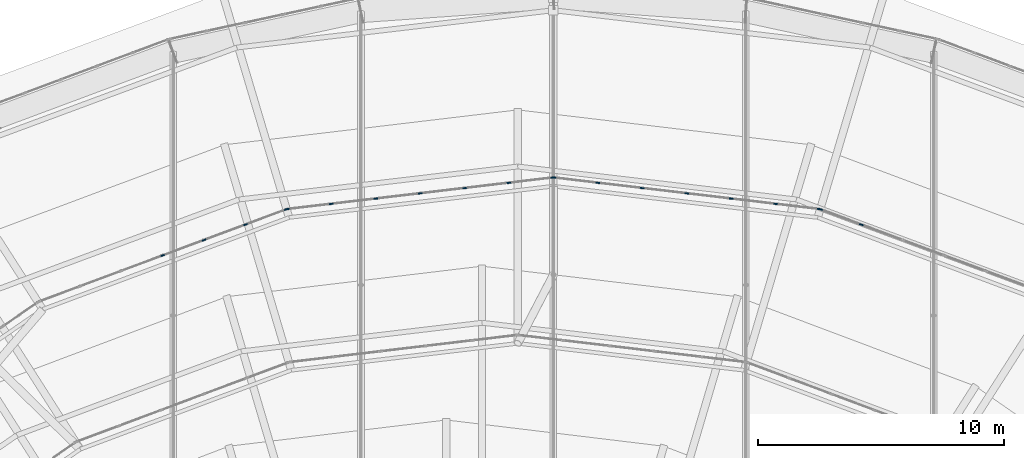
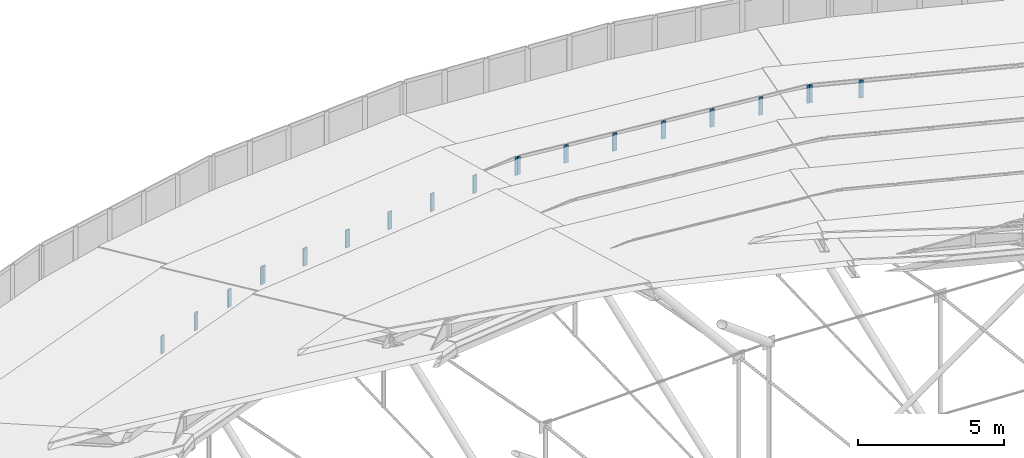
# One storey, part 139 of 173: 20 members, 4 elements without a shape of their own.
"""IFC4 building model written with IfcOpenShell, lengths in metres."""

from ifc_helpers import new_model, si_unit, direction, frame, origin, origin_2d, place, context, subcontext, project, spatial, rectangle, extrude, material, material_profile, profile_set, type_object, element, aggregate, save


model = new_model("IFC4")

# Units and contexts
model_context = context("Model", 3, precision=1e-05, world=origin(), true_north=direction((0.0, 1.0)))
body_context = subcontext(model_context, "Body", "Model", "MODEL_VIEW")
ifc_project = project(units=[si_unit("LENGTHUNIT", "METRE"), si_unit("AREAUNIT", "SQUARE_METRE"), si_unit("VOLUMEUNIT", "CUBIC_METRE"), si_unit("PLANEANGLEUNIT", "RADIAN"), si_unit("MASSUNIT", "GRAM", prefix="KILO")], contexts=[model_context])

# Site, building, storey
site_placement = place(None, origin())
site = spatial("IfcSite", under=ifc_project, at=site_placement, CompositionType="ELEMENT")
building_placement = place(site_placement, origin())
building = spatial("IfcBuilding", under=site, at=building_placement, Name="Glasvene Arena", CompositionType="ELEMENT")
storey_placement = place(building_placement, frame((0.0, 0.0, 28.800048828125)))
storey = spatial("IfcBuildingStorey", under=building, at=storey_placement, Name="RF", CompositionType="ELEMENT", Elevation=28.800048828125)

# Curtain wall, members
ifc_material_1 = material(Name="Low-emissivity laminated double glazing", Category="glass")
curtain_wall_type_1 = type_object("IfcCurtainWallType", Name="CW-PET1-1077x75", PredefinedType="USERDEFINED", material=ifc_material_1)
curtain_wall_1_placement = place(storey_placement, frame((112.925048828125, 105.649169921875, 0.0)))
curtain_wall_1 = element("IfcCurtainWall", 1, at=curtain_wall_1_placement, inside=storey, type_object=curtain_wall_type_1, Name="Petal ring 1-2 clerestory curtain wall 05", ObjectType="CURTAIN WALL", PredefinedType="USERDEFINED")
ifc_material_2 = material(Name="Anodised architectural aluminium", Category="aluminium")
ifc_material_profile = material_profile(ifc_material_2, rectangle(XDim=0.050048828125, YDim=0.159912109375, at=origin_2d()), Name="ALU MULLION 50x160")
ifc_profile_set = profile_set([ifc_material_profile], Name="Anodised architectural aluminium")
member_type = type_object("IfcMemberType", Name="CW-MUL-150", PredefinedType="MULLION", material=ifc_profile_set)
member_1_placement = place(storey_placement, frame((104.513916015625, 108.78759765625, 2.579833984375), z_axis=(0.0, 0.0, 1.0), x_axis=(-0.349591006176, -0.936902411354, 0.0)))
member_1 = element("IfcMember", 2, at=member_1_placement, type_object=member_type, Name="CW-085 mullion 6", PredefinedType="MULLION", context=body_context, shape_type="SweptSolid", body=[
    extrude(rectangle(XDim=0.050048828125, YDim=0.159912109375, at=origin_2d()), origin(), (0.0, 0.0, 1.0), 0.75),
])
member_2_placement = place(storey_placement, frame((102.85498046875, 109.40673828125, 2.579833984375), z_axis=(0.0, 0.0, 1.0), x_axis=(-0.349591006176, -0.936902411354, 0.0)))
member_2 = element("IfcMember", 3, at=member_2_placement, type_object=member_type, Name="CW-085 mullion 7", PredefinedType="MULLION", context=body_context, shape_type="SweptSolid", body=[
    extrude(rectangle(XDim=0.050048828125, YDim=0.159912109375, at=origin_2d()), origin(), (0.0, 0.0, 1.0), 0.75),
])
aggregate(curtain_wall_1, [member_1, member_2])

curtain_wall_type_2 = type_object("IfcCurtainWallType", Name="CW-PET1-1091x75", PredefinedType="USERDEFINED", material=ifc_material_1)
curtain_wall_2_placement = place(storey_placement, frame((102.83154296875, 109.415283203125, 0.0)))
curtain_wall_2 = element("IfcCurtainWall", 4, at=curtain_wall_2_placement, inside=storey, type_object=curtain_wall_type_2, Name="Petal ring 1-2 clerestory curtain wall 06", ObjectType="CURTAIN WALL", PredefinedType="USERDEFINED")
member_3_placement = place(storey_placement, frame((102.806884765625, 109.41845703125, 2.579833984375), z_axis=(0.0, 0.0, 1.0), x_axis=(-0.117772076378, -0.993040652756, 0.0)))
member_3 = element("IfcMember", 5, at=member_3_placement, type_object=member_type, Name="CW-086 mullion 1", PredefinedType="MULLION", context=body_context, shape_type="SweptSolid", body=[
    extrude(rectangle(XDim=0.050048828125, YDim=0.159912109375, at=origin_2d()), origin(), (0.0, 0.0, 1.0), 0.75),
])
member_4_placement = place(storey_placement, frame((101.0263671875, 109.62939453125, 2.579833984375), z_axis=(0.0, 0.0, 1.0), x_axis=(-0.117772076378, -0.993040652756, 0.0)))
member_4 = element("IfcMember", 6, at=member_4_placement, type_object=member_type, Name="CW-086 mullion 2", PredefinedType="MULLION", context=body_context, shape_type="SweptSolid", body=[
    extrude(rectangle(XDim=0.050048828125, YDim=0.159912109375, at=origin_2d()), origin(), (0.0, 0.0, 1.0), 0.75),
])
member_5_placement = place(storey_placement, frame((99.220947265625, 109.843505859375, 2.579833984375), z_axis=(0.0, 0.0, 1.0), x_axis=(-0.117772076378, -0.993040652756, 0.0)))
member_5 = element("IfcMember", 7, at=member_5_placement, type_object=member_type, Name="CW-086 mullion 3", PredefinedType="MULLION", context=body_context, shape_type="SweptSolid", body=[
    extrude(rectangle(XDim=0.050048828125, YDim=0.159912109375, at=origin_2d()), origin(), (0.0, 0.0, 1.0), 0.75),
])
member_6_placement = place(storey_placement, frame((97.415771484375, 110.0576171875, 2.579833984375), z_axis=(0.0, 0.0, 1.0), x_axis=(-0.117772076378, -0.993040652756, 0.0)))
member_6 = element("IfcMember", 8, at=member_6_placement, type_object=member_type, Name="CW-086 mullion 4", PredefinedType="MULLION", context=body_context, shape_type="SweptSolid", body=[
    extrude(rectangle(XDim=0.050048828125, YDim=0.159912109375, at=origin_2d()), origin(), (0.0, 0.0, 1.0), 0.75),
])
member_7_placement = place(storey_placement, frame((95.610595703125, 110.271728515625, 2.579833984375), z_axis=(0.0, 0.0, 1.0), x_axis=(-0.117772076378, -0.993040652756, 0.0)))
member_7 = element("IfcMember", 9, at=member_7_placement, type_object=member_type, Name="CW-086 mullion 5", PredefinedType="MULLION", context=body_context, shape_type="SweptSolid", body=[
    extrude(rectangle(XDim=0.050048828125, YDim=0.159912109375, at=origin_2d()), origin(), (0.0, 0.0, 1.0), 0.75),
])
member_8_placement = place(storey_placement, frame((93.80517578125, 110.48583984375, 2.579833984375), z_axis=(0.0, 0.0, 1.0), x_axis=(-0.117772076378, -0.993040652756, 0.0)))
member_8 = element("IfcMember", 10, at=member_8_placement, type_object=member_type, Name="CW-086 mullion 6", PredefinedType="MULLION", context=body_context, shape_type="SweptSolid", body=[
    extrude(rectangle(XDim=0.050048828125, YDim=0.159912109375, at=origin_2d()), origin(), (0.0, 0.0, 1.0), 0.75),
])
member_9_placement = place(storey_placement, frame((92.02490234375, 110.697021484375, 2.579833984375), z_axis=(0.0, 0.0, 1.0), x_axis=(-0.117772076378, -0.993040652756, 0.0)))
member_9 = element("IfcMember", 11, at=member_9_placement, type_object=member_type, Name="CW-086 mullion 7", PredefinedType="MULLION", context=body_context, shape_type="SweptSolid", body=[
    extrude(rectangle(XDim=0.050048828125, YDim=0.159912109375, at=origin_2d()), origin(), (0.0, 0.0, 1.0), 0.75),
])
aggregate(curtain_wall_2, [member_3, member_4, member_5, member_6, member_7, member_8, member_9])

curtain_wall_3_placement = place(storey_placement, frame((92.0, 110.699951171875, 0.0)))
curtain_wall_3 = element("IfcCurtainWall", 12, at=curtain_wall_3_placement, inside=storey, type_object=curtain_wall_type_2, Name="Petal ring 1-2 clerestory curtain wall 07", ObjectType="CURTAIN WALL", PredefinedType="USERDEFINED")
member_10_placement = place(storey_placement, frame((91.97509765625, 110.697021484375, 2.579833984375), z_axis=(0.0, 0.0, 1.0), x_axis=(0.117772076378, -0.993040652756, 0.0)))
member_10 = element("IfcMember", 13, at=member_10_placement, type_object=member_type, Name="CW-086 mullion 1", PredefinedType="MULLION", context=body_context, shape_type="SweptSolid", body=[
    extrude(rectangle(XDim=0.050048828125, YDim=0.159912109375, at=origin_2d()), origin(), (0.0, 0.0, 1.0), 0.75),
])
member_11_placement = place(storey_placement, frame((90.19482421875, 110.48583984375, 2.579833984375), z_axis=(0.0, 0.0, 1.0), x_axis=(0.117772076378, -0.993040652756, 0.0)))
member_11 = element("IfcMember", 14, at=member_11_placement, type_object=member_type, Name="CW-086 mullion 2", PredefinedType="MULLION", context=body_context, shape_type="SweptSolid", body=[
    extrude(rectangle(XDim=0.050048828125, YDim=0.159912109375, at=origin_2d()), origin(), (0.0, 0.0, 1.0), 0.75),
])
member_12_placement = place(storey_placement, frame((88.389404296875, 110.271728515625, 2.579833984375), z_axis=(0.0, 0.0, 1.0), x_axis=(0.117772076378, -0.993040652756, 0.0)))
member_12 = element("IfcMember", 15, at=member_12_placement, type_object=member_type, Name="CW-086 mullion 3", PredefinedType="MULLION", context=body_context, shape_type="SweptSolid", body=[
    extrude(rectangle(XDim=0.050048828125, YDim=0.159912109375, at=origin_2d()), origin(), (0.0, 0.0, 1.0), 0.75),
])
member_13_placement = place(storey_placement, frame((86.584228515625, 110.0576171875, 2.579833984375), z_axis=(0.0, 0.0, 1.0), x_axis=(0.117772076378, -0.993040652756, 0.0)))
member_13 = element("IfcMember", 16, at=member_13_placement, type_object=member_type, Name="CW-086 mullion 4", PredefinedType="MULLION", context=body_context, shape_type="SweptSolid", body=[
    extrude(rectangle(XDim=0.050048828125, YDim=0.159912109375, at=origin_2d()), origin(), (0.0, 0.0, 1.0), 0.75),
])
member_14_placement = place(storey_placement, frame((84.779052734375, 109.843505859375, 2.579833984375), z_axis=(0.0, 0.0, 1.0), x_axis=(0.117772076378, -0.993040652756, 0.0)))
member_14 = element("IfcMember", 17, at=member_14_placement, type_object=member_type, Name="CW-086 mullion 5", PredefinedType="MULLION", context=body_context, shape_type="SweptSolid", body=[
    extrude(rectangle(XDim=0.050048828125, YDim=0.159912109375, at=origin_2d()), origin(), (0.0, 0.0, 1.0), 0.75),
])
member_15_placement = place(storey_placement, frame((82.9736328125, 109.62939453125, 2.579833984375), z_axis=(0.0, 0.0, 1.0), x_axis=(0.117772076378, -0.993040652756, 0.0)))
member_15 = element("IfcMember", 18, at=member_15_placement, type_object=member_type, Name="CW-086 mullion 6", PredefinedType="MULLION", context=body_context, shape_type="SweptSolid", body=[
    extrude(rectangle(XDim=0.050048828125, YDim=0.159912109375, at=origin_2d()), origin(), (0.0, 0.0, 1.0), 0.75),
])
member_16_placement = place(storey_placement, frame((81.193115234375, 109.41845703125, 2.579833984375), z_axis=(0.0, 0.0, 1.0), x_axis=(0.117772076378, -0.993040652756, 0.0)))
member_16 = element("IfcMember", 19, at=member_16_placement, type_object=member_type, Name="CW-086 mullion 7", PredefinedType="MULLION", context=body_context, shape_type="SweptSolid", body=[
    extrude(rectangle(XDim=0.050048828125, YDim=0.159912109375, at=origin_2d()), origin(), (0.0, 0.0, 1.0), 0.75),
])
aggregate(curtain_wall_3, [member_10, member_11, member_12, member_13, member_14, member_15, member_16])

curtain_wall_4_placement = place(storey_placement, frame((81.16845703125, 109.415283203125, 0.0)))
curtain_wall_4 = element("IfcCurtainWall", 20, at=curtain_wall_4_placement, inside=storey, type_object=curtain_wall_type_1, Name="Petal ring 1-2 clerestory curtain wall 08", ObjectType="CURTAIN WALL", PredefinedType="USERDEFINED")
member_17_placement = place(storey_placement, frame((81.14501953125, 109.40673828125, 2.579833984375), z_axis=(0.0, 0.0, 1.0), x_axis=(0.349591006176, -0.936902411354, 0.0)))
member_17 = element("IfcMember", 21, at=member_17_placement, type_object=member_type, Name="CW-085 mullion 1", PredefinedType="MULLION", context=body_context, shape_type="SweptSolid", body=[
    extrude(rectangle(XDim=0.050048828125, YDim=0.159912109375, at=origin_2d()), origin(), (0.0, 0.0, 1.0), 0.75),
])
member_18_placement = place(storey_placement, frame((79.486083984375, 108.78759765625, 2.579833984375), z_axis=(0.0, 0.0, 1.0), x_axis=(0.349591006176, -0.936902411354, 0.0)))
member_18 = element("IfcMember", 22, at=member_18_placement, type_object=member_type, Name="CW-085 mullion 2", PredefinedType="MULLION", context=body_context, shape_type="SweptSolid", body=[
    extrude(rectangle(XDim=0.050048828125, YDim=0.159912109375, at=origin_2d()), origin(), (0.0, 0.0, 1.0), 0.75),
])
member_19_placement = place(storey_placement, frame((77.803955078125, 108.159912109375, 2.579833984375), z_axis=(0.0, 0.0, 1.0), x_axis=(0.349591006176, -0.936902411354, 0.0)))
member_19 = element("IfcMember", 23, at=member_19_placement, type_object=member_type, Name="CW-085 mullion 3", PredefinedType="MULLION", context=body_context, shape_type="SweptSolid", body=[
    extrude(rectangle(XDim=0.050048828125, YDim=0.159912109375, at=origin_2d()), origin(), (0.0, 0.0, 1.0), 0.75),
])
member_20_placement = place(storey_placement, frame((76.12158203125, 107.5322265625, 2.579833984375), z_axis=(0.0, 0.0, 1.0), x_axis=(0.349591006176, -0.936902411354, 0.0)))
member_20 = element("IfcMember", 24, at=member_20_placement, type_object=member_type, Name="CW-085 mullion 4", PredefinedType="MULLION", context=body_context, shape_type="SweptSolid", body=[
    extrude(rectangle(XDim=0.050048828125, YDim=0.159912109375, at=origin_2d()), origin(), (0.0, 0.0, 1.0), 0.75),
])
aggregate(curtain_wall_4, [member_17, member_18, member_19, member_20])

save(model, "model.ifc")
